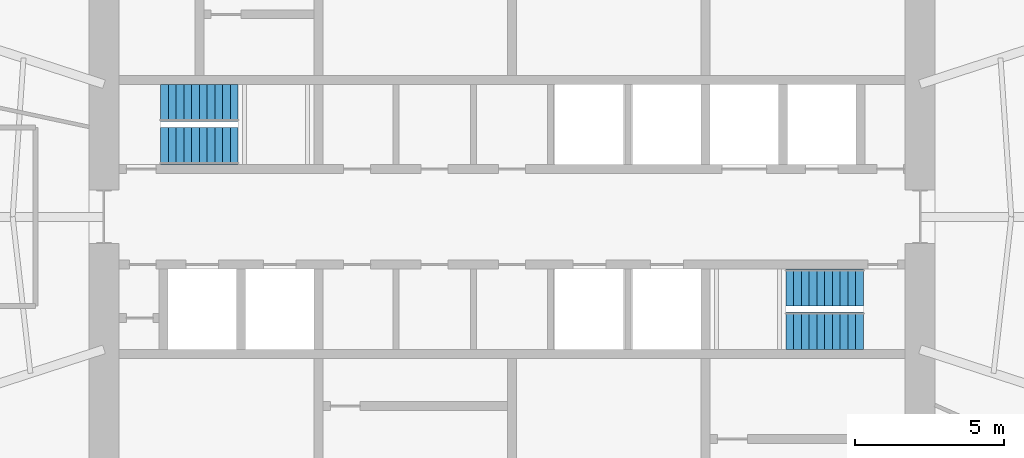
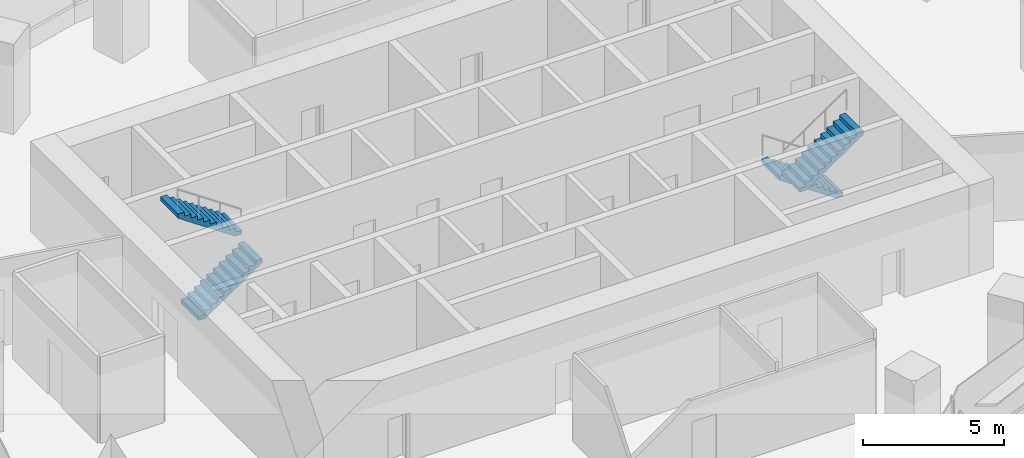
# One storey, part 12 of 14: 4 stair flights, 2 elements without a shape of their own.
"""IFC4 building model written with IfcOpenShell, lengths in metres."""

from ifc_helpers import new_model, si_unit, direction, frame, origin, place, context, subcontext, project, spatial, polyline, outline, extrude, material, type_object, element, aggregate, save


model = new_model("IFC4")

# Units and contexts
model_context = context("Model", 3, precision=1e-05, world=origin(), true_north=direction((0.0, 1.0)))
body_context = subcontext(model_context, "Body", "Model", "MODEL_VIEW")
ifc_project = project(units=[si_unit("LENGTHUNIT", "METRE"), si_unit("AREAUNIT", "SQUARE_METRE"), si_unit("VOLUMEUNIT", "CUBIC_METRE"), si_unit("PLANEANGLEUNIT", "RADIAN"), si_unit("MASSUNIT", "GRAM", prefix="KILO")], contexts=[model_context])

# Site, building, storey
site_placement = place(None, origin())
site = spatial("IfcSite", under=ifc_project, at=site_placement, CompositionType="ELEMENT")
building_placement = place(site_placement, origin())
building = spatial("IfcBuilding", under=site, at=building_placement, Name="Marramba Exchange Tower", CompositionType="ELEMENT")
storey_placement = place(building_placement, frame((0.0, 0.0, 222.800048828125)))
storey = spatial("IfcBuildingStorey", under=building, at=storey_placement, Name="L54", CompositionType="ELEMENT", Elevation=222.800048828125)

# Stair, stair flights
ifc_material = material(Name="Concrete N40 (40 MPa)", Category="concrete")
stair_type_1 = type_object("IfcStairType", Name="Exit stair ST1 3900 x 1250", PredefinedType="HALF_TURN_STAIR", material=ifc_material)
stair_1_placement = place(storey_placement, origin())
stair_1 = element("IfcStair", 1, at=stair_1_placement, inside=storey, type_object=stair_type_1, Name="Exit stair ST1 L54", PredefinedType="HALF_TURN_STAIR")
stair_flight_type_1 = type_object("IfcStairFlightType", Name="ST1 stair flight 1773 riser 1250 wide", PredefinedType="STRAIGHT", material=ifc_material)
stair_flight_1_placement = place(storey_placement, frame((-11.800048828125, 2.375, 0.0), z_axis=(0.0, 0.0, 1.0), x_axis=(1.0, 0.0, 0.0)))
stair_flight_1 = element("IfcStairFlight", 2, at=stair_flight_1_placement, type_object=stair_flight_type_1, Name="ST1 flight 1", NumberOfRisers=11, NumberOfTreads=10, PredefinedType="STRAIGHT", RiserHeight=0.177272727, TreadLength=0.26, context=body_context, shape_type="SweptSolid", body=[
    extrude(outline(polyline([(0.0, 0.0), (0.0, 0.17724609375), (0.260009765625, 0.17724609375), (0.260009765625, 0.3544921875), (0.52001953125, 0.3544921875), (0.52001953125, 0.53173828125), (0.780029296875, 0.53173828125), (0.780029296875, 0.708984375), (1.0400390625, 0.708984375), (1.0400390625, 0.886474609375), (1.300048828125, 0.886474609375), (1.300048828125, 1.063720703125), (1.56005859375, 1.063720703125), (1.56005859375, 1.240966796875), (1.820068359375, 1.240966796875), (1.820068359375, 1.418212890625), (2.080078125, 1.418212890625), (2.080078125, 1.595458984375), (2.340087890625, 1.595458984375), (2.340087890625, 1.772705078125), (2.60009765625, 1.772705078125), (2.60009765625, 1.949951171875), (2.60009765625, 1.59130859375), (0.26611328125, 0.0), (0.0, 0.0)])), frame((0.0, 0.625, 0.0), z_axis=(0.0, -1.0, 0.0), x_axis=(1.0, 0.0, 0.0)), (0.0, 0.0, 1.0), 1.25),
])
stair_flight_2_placement = place(storey_placement, frame((-9.199951171875, 3.824951171875, 1.949951171875), z_axis=(0.0, 0.0, 1.0), x_axis=(-1.0, 0.0, 0.0)))
stair_flight_2 = element("IfcStairFlight", 3, at=stair_flight_2_placement, type_object=stair_flight_type_1, Name="ST1 flight 2", NumberOfRisers=11, NumberOfTreads=10, PredefinedType="STRAIGHT", RiserHeight=0.177272727, TreadLength=0.26, context=body_context, shape_type="SweptSolid", body=[
    extrude(outline(polyline([(0.0, 0.0), (0.0, 0.17724609375), (0.260009765625, 0.17724609375), (0.260009765625, 0.3544921875), (0.52001953125, 0.3544921875), (0.52001953125, 0.53173828125), (0.780029296875, 0.53173828125), (0.780029296875, 0.708984375), (1.0400390625, 0.708984375), (1.0400390625, 0.886474609375), (1.300048828125, 0.886474609375), (1.300048828125, 1.063720703125), (1.56005859375, 1.063720703125), (1.56005859375, 1.240966796875), (1.820068359375, 1.240966796875), (1.820068359375, 1.418212890625), (2.080078125, 1.418212890625), (2.080078125, 1.595458984375), (2.340087890625, 1.595458984375), (2.340087890625, 1.772705078125), (2.60009765625, 1.772705078125), (2.60009765625, 1.949951171875), (2.60009765625, 1.59130859375), (0.26611328125, 0.0), (0.0, 0.0)])), frame((0.0, 0.625, 0.0), z_axis=(0.0, -1.0, 0.0), x_axis=(1.0, 0.0, 0.0)), (0.0, 0.0, 1.0), 1.25),
])
aggregate(stair_1, [stair_flight_1, stair_flight_2])

stair_type_2 = type_object("IfcStairType", Name="Exit stair ST2 3900 x 1250", PredefinedType="HALF_TURN_STAIR", material=ifc_material)
stair_2_placement = place(storey_placement, origin())
stair_2 = element("IfcStair", 4, at=stair_2_placement, inside=storey, type_object=stair_type_2, Name="Exit stair ST2 L54", PredefinedType="HALF_TURN_STAIR")
stair_flight_type_2 = type_object("IfcStairFlightType", Name="ST2 stair flight 1773 riser 1250 wide", PredefinedType="STRAIGHT", material=ifc_material)
stair_flight_3_placement = place(storey_placement, frame((11.800048828125, -2.375, 0.0), z_axis=(0.0, 0.0, 1.0), x_axis=(-1.0, 0.0, 0.0)))
stair_flight_3 = element("IfcStairFlight", 5, at=stair_flight_3_placement, type_object=stair_flight_type_2, Name="ST2 flight 1", NumberOfRisers=11, NumberOfTreads=10, PredefinedType="STRAIGHT", RiserHeight=0.177272727, TreadLength=0.26, context=body_context, shape_type="SweptSolid", body=[
    extrude(outline(polyline([(0.0, 0.0), (0.0, 0.17724609375), (0.260009765625, 0.17724609375), (0.260009765625, 0.3544921875), (0.52001953125, 0.3544921875), (0.52001953125, 0.53173828125), (0.780029296875, 0.53173828125), (0.780029296875, 0.708984375), (1.0400390625, 0.708984375), (1.0400390625, 0.886474609375), (1.300048828125, 0.886474609375), (1.300048828125, 1.063720703125), (1.56005859375, 1.063720703125), (1.56005859375, 1.240966796875), (1.820068359375, 1.240966796875), (1.820068359375, 1.418212890625), (2.080078125, 1.418212890625), (2.080078125, 1.595458984375), (2.340087890625, 1.595458984375), (2.340087890625, 1.772705078125), (2.60009765625, 1.772705078125), (2.60009765625, 1.949951171875), (2.60009765625, 1.59130859375), (0.26611328125, 0.0), (0.0, 0.0)])), frame((0.0, 0.625, 0.0), z_axis=(0.0, -1.0, 0.0), x_axis=(1.0, 0.0, 0.0)), (0.0, 0.0, 1.0), 1.25),
])
stair_flight_4_placement = place(storey_placement, frame((9.199951171875, -3.824951171875, 1.949951171875), z_axis=(0.0, 0.0, 1.0), x_axis=(1.0, 0.0, 0.0)))
stair_flight_4 = element("IfcStairFlight", 6, at=stair_flight_4_placement, type_object=stair_flight_type_2, Name="ST2 flight 2", NumberOfRisers=11, NumberOfTreads=10, PredefinedType="STRAIGHT", RiserHeight=0.177272727, TreadLength=0.26, context=body_context, shape_type="SweptSolid", body=[
    extrude(outline(polyline([(0.0, 0.0), (0.0, 0.17724609375), (0.260009765625, 0.17724609375), (0.260009765625, 0.3544921875), (0.52001953125, 0.3544921875), (0.52001953125, 0.53173828125), (0.780029296875, 0.53173828125), (0.780029296875, 0.708984375), (1.0400390625, 0.708984375), (1.0400390625, 0.886474609375), (1.300048828125, 0.886474609375), (1.300048828125, 1.063720703125), (1.56005859375, 1.063720703125), (1.56005859375, 1.240966796875), (1.820068359375, 1.240966796875), (1.820068359375, 1.418212890625), (2.080078125, 1.418212890625), (2.080078125, 1.595458984375), (2.340087890625, 1.595458984375), (2.340087890625, 1.772705078125), (2.60009765625, 1.772705078125), (2.60009765625, 1.949951171875), (2.60009765625, 1.59130859375), (0.26611328125, 0.0), (0.0, 0.0)])), frame((0.0, 0.625, 0.0), z_axis=(0.0, -1.0, 0.0), x_axis=(1.0, 0.0, 0.0)), (0.0, 0.0, 1.0), 1.25),
])
aggregate(stair_2, [stair_flight_3, stair_flight_4])

save(model, "model.ifc")
